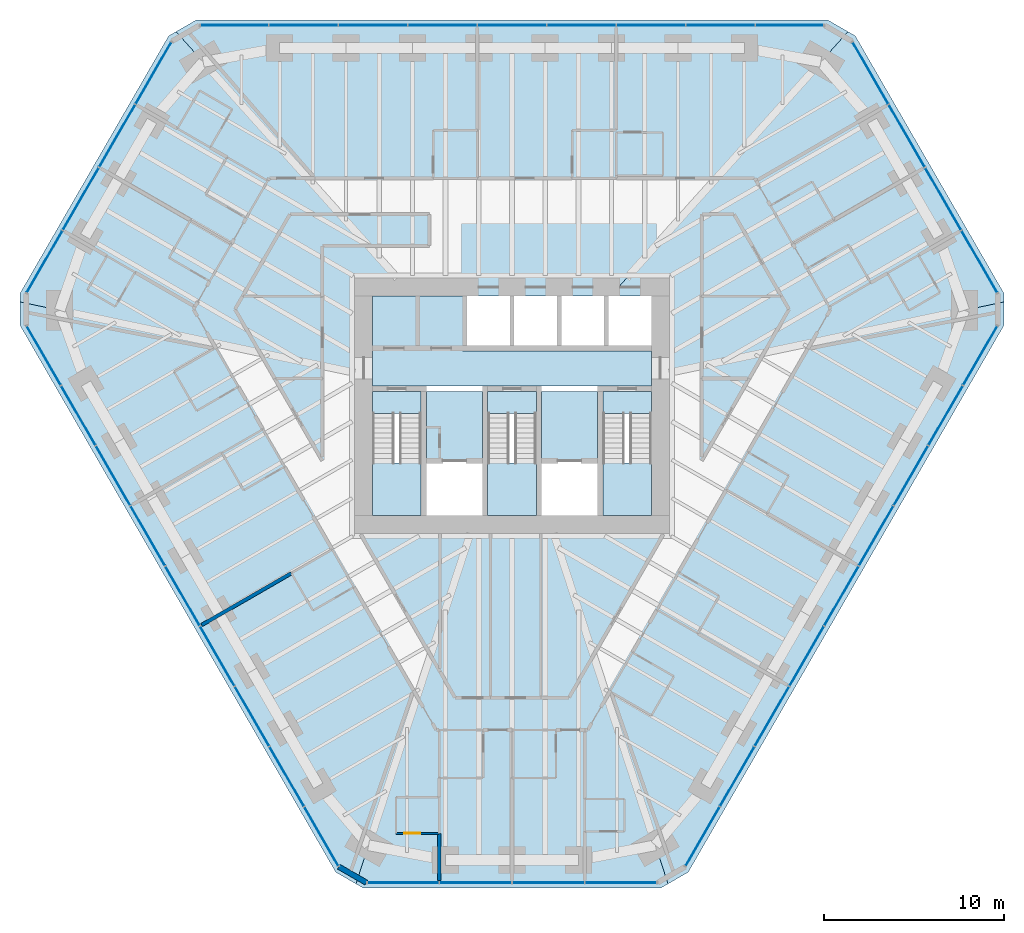
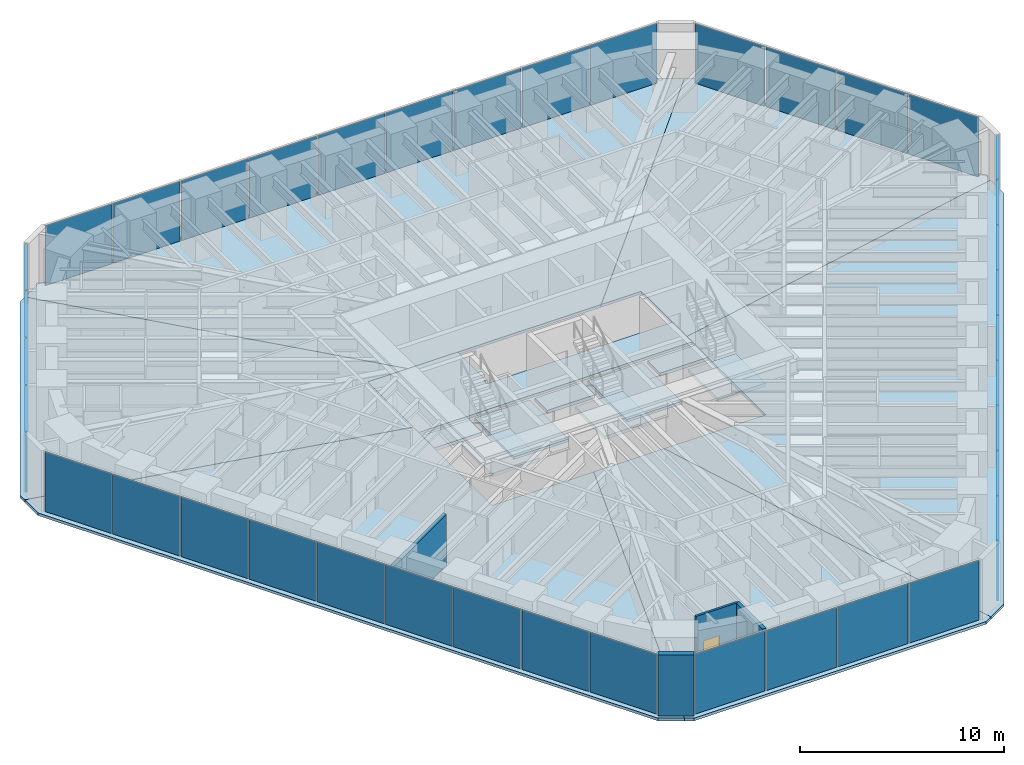
# One storey, part 10 of 17: 39 plates, 15 slabs, 4 walls, 1 door, 1 opening, 9 elements without a shape of their own.
"""IFC4 building model written with IfcOpenShell, lengths in metres."""

import ifcopenshell
import ifcopenshell.guid

model = None  # the IFC model being written
_history = None  # IfcOwnerHistory: only IFC2X3 demands one
_inside = {}  # id of a spatial element -> (the spatial element, [elements in it])
_under = {}  # id of a project, library or spatial element -> (it, [spatial elements below it])
_declared = {}  # id of a project -> (the project, [libraries it declares])
_typed = {}  # id of a type object -> (the type object, [elements of that type])
_made_of = {}  # id of a material, layer set ... -> (it, [elements and type objects made of it])


def new_model(schema):
    """Start an empty IFC model of exactly this schema.

    Asked for "IFC4X3", IfcOpenShell would pick the latest addendum, in which some entities
    have other attributes; the version numbers below select the first issue.
    IFC2X3 requires an IfcOwnerHistory on every rooted entity: one is made here for all.
    """
    global model, _history
    if schema == "IFC4X3":
        model = ifcopenshell.file(schema_version=(4, 3, 0, 0))
    else:
        model = ifcopenshell.file(schema=schema)
    _inside.clear()
    _under.clear()
    _declared.clear()
    _typed.clear()
    _made_of.clear()
    _history = None
    if model.schema == "IFC2X3":
        org = make("IfcOrganization", Name="unknown")
        user = make(
            "IfcPersonAndOrganization",
            ThePerson=make("IfcPerson", FamilyName="unknown"),
            TheOrganization=org,
        )
        app = make(
            "IfcApplication",
            ApplicationDeveloper=org,
            Version="unknown",
            ApplicationFullName="unknown",
            ApplicationIdentifier="unknown",
        )
        _history = make(
            "IfcOwnerHistory",
            OwningUser=user,
            OwningApplication=app,
            ChangeAction="ADDED",
            CreationDate=0,
        )
    return model


def make(cls, **values):
    """One entity of the class cls with the attributes given. An attribute that is None is left unset."""
    return model.create_entity(
        cls, **{name: value for name, value in values.items() if value is not None}
    )


def rooted(cls, **values):
    """An entity with a GlobalId (a new one), such as an element, a storey or a relation."""
    return make(cls, GlobalId=ifcopenshell.guid.new(), OwnerHistory=_history, **values)


def si_unit(unit_type, name, prefix=None):
    """IfcSIUnit, for example si_unit("LENGTHUNIT", "METRE", prefix="MILLI")."""
    return make("IfcSIUnit", UnitType=unit_type, Prefix=prefix, Name=name)


def assignment(units):
    """IfcUnitAssignment: the units of a project."""
    return None if units is None else make("IfcUnitAssignment", Units=units)


def point(xyz):
    """IfcCartesianPoint."""
    return None if xyz is None else make("IfcCartesianPoint", Coordinates=xyz)


def direction(xyz):
    """IfcDirection."""
    return None if xyz is None else make("IfcDirection", DirectionRatios=xyz)


def frame(location, z_axis=None, x_axis=None):
    """IfcAxis2Placement3D, a coordinate frame: its origin and axes. An axis left out is left unset."""
    return make(
        "IfcAxis2Placement3D",
        Location=point(location),
        Axis=direction(z_axis),
        RefDirection=direction(x_axis),
    )


def frame_2d(location, x_axis=None):
    """IfcAxis2Placement2D, a coordinate frame in the plane: its origin and x axis."""
    return make(
        "IfcAxis2Placement2D", Location=point(location), RefDirection=direction(x_axis)
    )


def origin():
    """The frame at (0, 0, 0) with its axes left unset."""
    return frame((0.0, 0.0, 0.0))


def origin_2d():
    """The frame at (0, 0) in the plane with its x axis left unset."""
    return frame_2d((0.0, 0.0))


def place(relative_to, where):
    """IfcLocalPlacement: puts the frame where relative to a parent placement (None: the world)."""
    return make(
        "IfcLocalPlacement", PlacementRelTo=relative_to, RelativePlacement=where
    )


def context(
    kind, dimensions, precision=None, world=None, true_north=None, identifier=None
):
    """IfcGeometricRepresentationContext, for example the 3D "Model" context."""
    return make(
        "IfcGeometricRepresentationContext",
        ContextIdentifier=identifier,
        ContextType=kind,
        CoordinateSpaceDimension=dimensions,
        Precision=precision,
        WorldCoordinateSystem=world,
        TrueNorth=true_north,
    )


def subcontext(parent, identifier, kind, view, scale=None):
    """IfcGeometricRepresentationSubContext, for example "Body" below "Model"."""
    return make(
        "IfcGeometricRepresentationSubContext",
        ContextIdentifier=identifier,
        ContextType=kind,
        ParentContext=parent,
        TargetScale=scale,
        TargetView=view,
    )


def project(units=None, contexts=None):
    """IfcProject with its units and contexts."""
    return rooted(
        "IfcProject",
        Name="project",
        RepresentationContexts=contexts,
        UnitsInContext=assignment(units),
    )


def spatial(cls, under=None, at=None, **own):
    """A site, building, storey or space (cls), placed at a placement, below another one or the project."""
    s = rooted(cls, ObjectPlacement=at, **own)
    if under is not None:
        _under.setdefault(under.id(), (under, []))[1].append(s)
    return s


def polyline(points):
    """IfcPolyline through the points."""
    return make("IfcPolyline", Points=[point(p) for p in points])


def profile(cls, at=None, kind="AREA", **sizes):
    """A parametric profile (cls). Its sizes go by their IFC names, for example OverallWidth=200.0."""
    return make(cls, ProfileType=kind, Position=at, **sizes)


def rectangle(**sizes):
    """IfcRectangleProfileDef."""
    return profile("IfcRectangleProfileDef", **sizes)


def outline(outer, holes=None, kind="AREA"):
    """IfcArbitraryClosedProfileDef: a profile drawn as a closed curve; with holes, ...WithVoids."""
    if holes is None:
        return make("IfcArbitraryClosedProfileDef", ProfileType=kind, OuterCurve=outer)
    return make(
        "IfcArbitraryProfileDefWithVoids",
        ProfileType=kind,
        OuterCurve=outer,
        InnerCurves=holes,
    )


def extrude(swept, where, along, depth):
    """IfcExtrudedAreaSolid: the profile swept, set in the frame where, extruded along a direction by depth."""
    return make(
        "IfcExtrudedAreaSolid",
        SweptArea=swept,
        Position=where,
        ExtrudedDirection=direction(along),
        Depth=depth,
    )


def shape(context_of_items, identifier, shape_type, items):
    """IfcShapeRepresentation: the items that make up one representation, for example the "Body"."""
    return make(
        "IfcShapeRepresentation",
        ContextOfItems=context_of_items,
        RepresentationIdentifier=identifier,
        RepresentationType=shape_type,
        Items=items,
    )


def material(Name=None, Category=None):
    """IfcMaterial."""
    return make("IfcMaterial", Name=Name, Category=Category)


def layer(
    of_material, thickness, ventilated=None, Name=None, Category=None, Priority=None
):
    """IfcMaterialLayer: one layer of a wall or slab, of a material (None: an air gap)."""
    return make(
        "IfcMaterialLayer",
        Material=of_material,
        LayerThickness=thickness,
        IsVentilated=ventilated,
        Name=Name,
        Category=Category,
        Priority=Priority,
    )


def layer_set(layers, Name=None):
    """IfcMaterialLayerSet."""
    return make("IfcMaterialLayerSet", MaterialLayers=layers, LayerSetName=Name)


def made_of(thing, what):
    """Note that an element or type object is made of a material, layer set ...; save() writes the relation."""
    if what is not None:
        _made_of.setdefault(what.id(), (what, []))[1].append(thing)
    return thing


def type_object(cls, material=None, **own):
    """A type object (cls), such as IfcWallType, which elements share."""
    return made_of(rooted(cls, **own), material)


def element(
    cls,
    number,
    at=None,
    inside=None,
    cuts=None,
    type_object=None,
    material=None,
    context=None,
    identifier="Body",
    shape_type=None,
    held_by="IfcProductDefinitionShape",
    body=None,
    shapes=None,
    **own,
):
    """One element of the class cls, such as IfcWall. Its Tag is "e" and its number.

    at: its placement. inside: the storey or other place that contains it. cuts: it is an
    opening in that element (IfcRelVoidsElement). A single representation is given by context,
    identifier, shape_type and body (its items); several are given by shapes. held_by: the class
    of the entity that holds the representations. save() writes the other relations.
    """
    e = rooted(cls, Tag="e%d" % number, ObjectPlacement=at, **own)
    if body is not None:
        shapes = [shape(context, identifier, shape_type, body)]
    if shapes is not None:
        e.Representation = make(held_by, Representations=shapes)
    if inside is not None:
        _inside.setdefault(inside.id(), (inside, []))[1].append(e)
    if cuts is not None:
        rooted(
            "IfcRelVoidsElement", RelatingBuildingElement=cuts, RelatedOpeningElement=e
        )
    if type_object is not None:
        _typed.setdefault(type_object.id(), (type_object, []))[1].append(e)
    return made_of(e, material)


def fill(opening, filler):
    """IfcRelFillsElement: the door or window that sits in an opening."""
    return rooted(
        "IfcRelFillsElement",
        RelatingOpeningElement=opening,
        RelatedBuildingElement=filler,
    )


def aggregate(whole, parts):
    """IfcRelAggregates: a whole, such as a stair, and the parts it consists of."""
    return rooted("IfcRelAggregates", RelatingObject=whole, RelatedObjects=parts)


def save(model, path):
    """Write the relations noted so far, then the file.

    IfcRelAggregates (storeys below a building ...), IfcRelContainedInSpatialStructure (elements
    in a storey), IfcRelDefinesByType, IfcRelAssociatesMaterial and IfcRelDeclares: one each for
    every whole, place, type object, material and project.
    """
    for whole, parts in _under.values():
        aggregate(whole, parts)
    for where, things in _inside.values():
        rooted(
            "IfcRelContainedInSpatialStructure",
            RelatedElements=things,
            RelatingStructure=where,
        )
    for kind, things in _typed.values():
        rooted("IfcRelDefinesByType", RelatedObjects=things, RelatingType=kind)
    for what, things in _made_of.values():
        rooted("IfcRelAssociatesMaterial", RelatedObjects=things, RelatingMaterial=what)
    for by, libraries in _declared.values():
        rooted("IfcRelDeclares", RelatingContext=by, RelatedDefinitions=libraries)
    model.write(path)


model = new_model("IFC4")

# Units and contexts
model_context = context("Model", 3, precision=1e-05, world=origin(), true_north=direction((0.0, 1.0)))
body_context = subcontext(model_context, "Body", "Model", "MODEL_VIEW")
ifc_project = project(units=[si_unit("LENGTHUNIT", "METRE"), si_unit("AREAUNIT", "SQUARE_METRE"), si_unit("VOLUMEUNIT", "CUBIC_METRE"), si_unit("PLANEANGLEUNIT", "RADIAN"), si_unit("MASSUNIT", "GRAM", prefix="KILO")], contexts=[model_context])

# Site, building, storey
site_placement = place(None, origin())
site = spatial("IfcSite", under=ifc_project, at=site_placement, CompositionType="ELEMENT")
building_placement = place(site_placement, origin())
building = spatial("IfcBuilding", under=site, at=building_placement, Name="Sandreach Pilgrim Tower", CompositionType="ELEMENT")
storey_placement = place(building_placement, frame((0.0, 0.0, 198.39990234375)))
storey = spatial("IfcBuildingStorey", under=building, at=storey_placement, Name="L49", CompositionType="ELEMENT", Elevation=198.39990234375)

# Curtain wall, plates
ifc_material_1 = material(Name="Aluminium framed curtain wall", Category="aluminium")
curtain_wall_type = type_object("IfcCurtainWallType", Name="Upper hotel tower curtain wall", PredefinedType="NOTDEFINED", material=ifc_material_1)
curtain_wall_1_placement = place(storey_placement, origin())
curtain_wall_1 = element("IfcCurtainWall", 1, at=curtain_wall_1_placement, inside=storey, type_object=curtain_wall_type, Name="CW-3 L49 N", PredefinedType="NOTDEFINED")
ifc_material_2 = material(Name="Insulating glass unit 12.76 laminated + 20 argon + 12.76 laminated", Category="glass")
ifc_layer_1 = layer(ifc_material_2, 0.0458984375)
ifc_layer_set_1 = layer_set([ifc_layer_1], Name="CW-3 panel")
plate_type = type_object("IfcPlateType", Name="CW-3 panel", PredefinedType="CURTAIN_PANEL", material=ifc_layer_set_1)
plate_1_placement = place(storey_placement, frame((-15.44140625, 21.16015625, 0.0), z_axis=(0.0, 0.0, 1.0), x_axis=(1.0, 0.0, 0.0)))
plate_1 = element("IfcPlate", 2, at=plate_1_placement, type_object=plate_type, Name="CW-3 panel 1", PredefinedType="CURTAIN_PANEL", context=body_context, shape_type="SweptSolid", body=[
    extrude(rectangle(XDim=3.766845703125, YDim=0.0458984375, at=origin_2d()), origin(), (0.0, 0.0, 1.0), 3.570068359375),
])
plate_2_placement = place(storey_placement, frame((-11.59326171875, 21.16015625, 0.0), z_axis=(0.0, 0.0, 1.0), x_axis=(1.0, 0.0, 0.0)))
plate_2 = element("IfcPlate", 3, at=plate_2_placement, type_object=plate_type, Name="CW-3 panel 2", PredefinedType="CURTAIN_PANEL", context=body_context, shape_type="SweptSolid", body=[
    extrude(rectangle(XDim=3.79931640625, YDim=0.0458984375, at=origin_2d()), origin(), (0.0, 0.0, 1.0), 3.570068359375),
])
plate_3_placement = place(storey_placement, frame((-7.728759765625, 21.16015625, 0.0), z_axis=(0.0, 0.0, 1.0), x_axis=(1.0, 0.0, 0.0)))
plate_3 = element("IfcPlate", 4, at=plate_3_placement, type_object=plate_type, Name="CW-3 panel 3", PredefinedType="CURTAIN_PANEL", context=body_context, shape_type="SweptSolid", body=[
    extrude(rectangle(XDim=3.79931640625, YDim=0.0458984375, at=origin_2d()), origin(), (0.0, 0.0, 1.0), 3.570068359375),
])
plate_4_placement = place(storey_placement, frame((-3.864501953125, 21.16015625, 0.0), z_axis=(0.0, 0.0, 1.0), x_axis=(1.0, 0.0, 0.0)))
plate_4 = element("IfcPlate", 5, at=plate_4_placement, type_object=plate_type, Name="CW-3 panel 4", PredefinedType="CURTAIN_PANEL", context=body_context, shape_type="SweptSolid", body=[
    extrude(rectangle(XDim=3.79931640625, YDim=0.0458984375, at=origin_2d()), origin(), (0.0, 0.0, 1.0), 3.570068359375),
])
plate_5_placement = place(storey_placement, frame((0.0, 21.16015625, 0.0), z_axis=(0.0, 0.0, 1.0), x_axis=(1.0, 0.0, 0.0)))
plate_5 = element("IfcPlate", 6, at=plate_5_placement, type_object=plate_type, Name="CW-3 panel 5", PredefinedType="CURTAIN_PANEL", context=body_context, shape_type="SweptSolid", body=[
    extrude(rectangle(XDim=3.79931640625, YDim=0.0458984375, at=origin_2d()), origin(), (0.0, 0.0, 1.0), 3.570068359375),
])
plate_6_placement = place(storey_placement, frame((3.864501953125, 21.16015625, 0.0), z_axis=(0.0, 0.0, 1.0), x_axis=(1.0, 0.0, 0.0)))
plate_6 = element("IfcPlate", 7, at=plate_6_placement, type_object=plate_type, Name="CW-3 panel 6", PredefinedType="CURTAIN_PANEL", context=body_context, shape_type="SweptSolid", body=[
    extrude(rectangle(XDim=3.79931640625, YDim=0.0458984375, at=origin_2d()), origin(), (0.0, 0.0, 1.0), 3.570068359375),
])
plate_7_placement = place(storey_placement, frame((7.728759765625, 21.16015625, 0.0), z_axis=(0.0, 0.0, 1.0), x_axis=(1.0, 0.0, 0.0)))
plate_7 = element("IfcPlate", 8, at=plate_7_placement, type_object=plate_type, Name="CW-3 panel 7", PredefinedType="CURTAIN_PANEL", context=body_context, shape_type="SweptSolid", body=[
    extrude(rectangle(XDim=3.79931640625, YDim=0.0458984375, at=origin_2d()), origin(), (0.0, 0.0, 1.0), 3.570068359375),
])
plate_8_placement = place(storey_placement, frame((11.59326171875, 21.16015625, 0.0), z_axis=(0.0, 0.0, 1.0), x_axis=(1.0, 0.0, 0.0)))
plate_8 = element("IfcPlate", 9, at=plate_8_placement, type_object=plate_type, Name="CW-3 panel 8", PredefinedType="CURTAIN_PANEL", context=body_context, shape_type="SweptSolid", body=[
    extrude(rectangle(XDim=3.79931640625, YDim=0.0458984375, at=origin_2d()), origin(), (0.0, 0.0, 1.0), 3.570068359375),
])
plate_9_placement = place(storey_placement, frame((15.44140625, 21.16015625, 0.0), z_axis=(0.0, 0.0, 1.0), x_axis=(1.0, 0.0, 0.0)))
plate_9 = element("IfcPlate", 10, at=plate_9_placement, type_object=plate_type, Name="CW-3 panel 9", PredefinedType="CURTAIN_PANEL", context=body_context, shape_type="SweptSolid", body=[
    extrude(rectangle(XDim=3.766845703125, YDim=0.0458984375, at=origin_2d()), origin(), (0.0, 0.0, 1.0), 3.570068359375),
])
aggregate(curtain_wall_1, [plate_1, plate_2, plate_3, plate_4, plate_5, plate_6, plate_7, plate_8, plate_9])

curtain_wall_2_placement = place(storey_placement, origin())
curtain_wall_2 = element("IfcCurtainWall", 11, at=curtain_wall_2_placement, inside=storey, type_object=curtain_wall_type, Name="CW-3 L49 NE", PredefinedType="NOTDEFINED")
plate_10_placement = place(storey_placement, frame((19.943115234375, 18.5078125, 0.0), z_axis=(0.0, 0.0, 1.0), x_axis=(0.5, -0.866025403784, 0.0)))
plate_10 = element("IfcPlate", 12, at=plate_10_placement, type_object=plate_type, Name="CW-3 panel 1", PredefinedType="CURTAIN_PANEL", context=body_context, shape_type="SweptSolid", body=[
    extrude(rectangle(XDim=3.951171875, YDim=0.0458984375, at=origin_2d()), origin(), (0.0, 0.0, 1.0), 3.570068359375),
])
plate_11_placement = place(storey_placement, frame((21.959228515625, 15.015625, 0.0), z_axis=(0.0, 0.0, 1.0), x_axis=(0.5, -0.866025403784, 0.0)))
plate_11 = element("IfcPlate", 13, at=plate_11_placement, type_object=plate_type, Name="CW-3 panel 2", PredefinedType="CURTAIN_PANEL", context=body_context, shape_type="SweptSolid", body=[
    extrude(rectangle(XDim=3.983642578125, YDim=0.0458984375, at=origin_2d()), origin(), (0.0, 0.0, 1.0), 3.570068359375),
])
plate_12_placement = place(storey_placement, frame((23.983642578125, 11.509521484375, 0.0), z_axis=(0.0, 0.0, 1.0), x_axis=(0.5, -0.866025403784, 0.0)))
plate_12 = element("IfcPlate", 14, at=plate_12_placement, type_object=plate_type, Name="CW-3 panel 3", PredefinedType="CURTAIN_PANEL", context=body_context, shape_type="SweptSolid", body=[
    extrude(rectangle(XDim=3.983642578125, YDim=0.0458984375, at=origin_2d()), origin(), (0.0, 0.0, 1.0), 3.570068359375),
])
plate_13_placement = place(storey_placement, frame((25.999755859375, 8.017333984375, 0.0), z_axis=(0.0, 0.0, 1.0), x_axis=(0.5, -0.866025403784, 0.0)))
plate_13 = element("IfcPlate", 15, at=plate_13_placement, type_object=plate_type, Name="CW-3 panel 4", PredefinedType="CURTAIN_PANEL", context=body_context, shape_type="SweptSolid", body=[
    extrude(rectangle(XDim=3.951171875, YDim=0.0458984375, at=origin_2d()), origin(), (0.0, 0.0, 1.0), 3.570068359375),
])
aggregate(curtain_wall_2, [plate_10, plate_11, plate_12, plate_13])

curtain_wall_3_placement = place(storey_placement, origin())
curtain_wall_3 = element("IfcCurtainWall", 16, at=curtain_wall_3_placement, inside=storey, type_object=curtain_wall_type, Name="CW-3 L49 SE", PredefinedType="NOTDEFINED")
plate_14_placement = place(storey_placement, frame((26.0458984375, 2.792724609375, 0.0), z_axis=(0.0, 0.0, 1.0), x_axis=(-0.5, -0.866025403784, 0.0)))
plate_14 = element("IfcPlate", 17, at=plate_14_placement, type_object=plate_type, Name="CW-3 panel 1", PredefinedType="CURTAIN_PANEL", context=body_context, shape_type="SweptSolid", body=[
    extrude(rectangle(XDim=3.766845703125, YDim=0.0458984375, at=origin_2d()), origin(), (0.0, 0.0, 1.0), 3.570068359375),
])
plate_15_placement = place(storey_placement, frame((24.121826171875, -0.5400390625, 0.0), z_axis=(0.0, 0.0, 1.0), x_axis=(-0.5, -0.866025403784, 0.0)))
plate_15 = element("IfcPlate", 18, at=plate_15_placement, type_object=plate_type, Name="CW-3 panel 2", PredefinedType="CURTAIN_PANEL", context=body_context, shape_type="SweptSolid", body=[
    extrude(rectangle(XDim=3.79931640625, YDim=0.0458984375, at=origin_2d()), origin(), (0.0, 0.0, 1.0), 3.570068359375),
])
plate_16_placement = place(storey_placement, frame((22.189697265625, -3.88671875, 0.0), z_axis=(0.0, 0.0, 1.0), x_axis=(-0.5, -0.866025403784, 0.0)))
plate_16 = element("IfcPlate", 19, at=plate_16_placement, type_object=plate_type, Name="CW-3 panel 3", PredefinedType="CURTAIN_PANEL", context=body_context, shape_type="SweptSolid", body=[
    extrude(rectangle(XDim=3.79931640625, YDim=0.0458984375, at=origin_2d()), origin(), (0.0, 0.0, 1.0), 3.570068359375),
])
plate_17_placement = place(storey_placement, frame((20.25732421875, -7.2333984375, 0.0), z_axis=(0.0, 0.0, 1.0), x_axis=(-0.5, -0.866025403784, 0.0)))
plate_17 = element("IfcPlate", 20, at=plate_17_placement, type_object=plate_type, Name="CW-3 panel 4", PredefinedType="CURTAIN_PANEL", context=body_context, shape_type="SweptSolid", body=[
    extrude(rectangle(XDim=3.79931640625, YDim=0.0458984375, at=origin_2d()), origin(), (0.0, 0.0, 1.0), 3.570068359375),
])
plate_18_placement = place(storey_placement, frame((18.3251953125, -10.580078125, 0.0), z_axis=(0.0, 0.0, 1.0), x_axis=(-0.5, -0.866025403784, 0.0)))
plate_18 = element("IfcPlate", 21, at=plate_18_placement, type_object=plate_type, Name="CW-3 panel 5", PredefinedType="CURTAIN_PANEL", context=body_context, shape_type="SweptSolid", body=[
    extrude(rectangle(XDim=3.79931640625, YDim=0.0458984375, at=origin_2d()), origin(), (0.0, 0.0, 1.0), 3.570068359375),
])
plate_19_placement = place(storey_placement, frame((16.39306640625, -13.9267578125, 0.0), z_axis=(0.0, 0.0, 1.0), x_axis=(-0.5, -0.866025403784, 0.0)))
plate_19 = element("IfcPlate", 22, at=plate_19_placement, type_object=plate_type, Name="CW-3 panel 6", PredefinedType="CURTAIN_PANEL", context=body_context, shape_type="SweptSolid", body=[
    extrude(rectangle(XDim=3.79931640625, YDim=0.0458984375, at=origin_2d()), origin(), (0.0, 0.0, 1.0), 3.570068359375),
])
plate_20_placement = place(storey_placement, frame((14.460693359375, -17.2734375, 0.0), z_axis=(0.0, 0.0, 1.0), x_axis=(-0.5, -0.866025403784, 0.0)))
plate_20 = element("IfcPlate", 23, at=plate_20_placement, type_object=plate_type, Name="CW-3 panel 7", PredefinedType="CURTAIN_PANEL", context=body_context, shape_type="SweptSolid", body=[
    extrude(rectangle(XDim=3.79931640625, YDim=0.0458984375, at=origin_2d()), origin(), (0.0, 0.0, 1.0), 3.570068359375),
])
plate_21_placement = place(storey_placement, frame((12.528564453125, -20.6201171875, 0.0), z_axis=(0.0, 0.0, 1.0), x_axis=(-0.5, -0.866025403784, 0.0)))
plate_21 = element("IfcPlate", 24, at=plate_21_placement, type_object=plate_type, Name="CW-3 panel 8", PredefinedType="CURTAIN_PANEL", context=body_context, shape_type="SweptSolid", body=[
    extrude(rectangle(XDim=3.79931640625, YDim=0.0458984375, at=origin_2d()), origin(), (0.0, 0.0, 1.0), 3.570068359375),
])
plate_22_placement = place(storey_placement, frame((10.6044921875, -23.95263671875, 0.0), z_axis=(0.0, 0.0, 1.0), x_axis=(-0.5, -0.866025403784, 0.0)))
plate_22 = element("IfcPlate", 25, at=plate_22_placement, type_object=plate_type, Name="CW-3 panel 9", PredefinedType="CURTAIN_PANEL", context=body_context, shape_type="SweptSolid", body=[
    extrude(rectangle(XDim=3.766845703125, YDim=0.0458984375, at=origin_2d()), origin(), (0.0, 0.0, 1.0), 3.570068359375),
])
aggregate(curtain_wall_3, [plate_14, plate_15, plate_16, plate_17, plate_18, plate_19, plate_20, plate_21, plate_22])

curtain_wall_4_placement = place(storey_placement, origin())
curtain_wall_4 = element("IfcCurtainWall", 26, at=curtain_wall_4_placement, inside=storey, type_object=curtain_wall_type, Name="CW-3 L49 S", PredefinedType="NOTDEFINED")
plate_23_placement = place(storey_placement, frame((6.056884765625, -26.525146484375, 0.0), z_axis=(0.0, 0.0, 1.0), x_axis=(-1.0, 0.0, 0.0)))
plate_23 = element("IfcPlate", 27, at=plate_23_placement, type_object=plate_type, Name="CW-3 panel 1", PredefinedType="CURTAIN_PANEL", context=body_context, shape_type="SweptSolid", body=[
    extrude(rectangle(XDim=3.951171875, YDim=0.0458984375, at=origin_2d()), origin(), (0.0, 0.0, 1.0), 3.570068359375),
])
plate_24_placement = place(storey_placement, frame((2.0244140625, -26.525146484375, 0.0), z_axis=(0.0, 0.0, 1.0), x_axis=(-1.0, 0.0, 0.0)))
plate_24 = element("IfcPlate", 28, at=plate_24_placement, type_object=plate_type, Name="CW-3 panel 2", PredefinedType="CURTAIN_PANEL", context=body_context, shape_type="SweptSolid", body=[
    extrude(rectangle(XDim=3.983642578125, YDim=0.0458984375, at=origin_2d()), origin(), (0.0, 0.0, 1.0), 3.570068359375),
])
plate_25_placement = place(storey_placement, frame((-2.0244140625, -26.525146484375, 0.0), z_axis=(0.0, 0.0, 1.0), x_axis=(-1.0, 0.0, 0.0)))
plate_25 = element("IfcPlate", 29, at=plate_25_placement, type_object=plate_type, Name="CW-3 panel 3", PredefinedType="CURTAIN_PANEL", context=body_context, shape_type="SweptSolid", body=[
    extrude(rectangle(XDim=3.983642578125, YDim=0.0458984375, at=origin_2d()), origin(), (0.0, 0.0, 1.0), 3.570068359375),
])
plate_26_placement = place(storey_placement, frame((-6.056884765625, -26.525146484375, 0.0), z_axis=(0.0, 0.0, 1.0), x_axis=(-1.0, 0.0, 0.0)))
plate_26 = element("IfcPlate", 30, at=plate_26_placement, type_object=plate_type, Name="CW-3 panel 4", PredefinedType="CURTAIN_PANEL", context=body_context, shape_type="SweptSolid", body=[
    extrude(rectangle(XDim=3.951171875, YDim=0.0458984375, at=origin_2d()), origin(), (0.0, 0.0, 1.0), 3.570068359375),
])
aggregate(curtain_wall_4, [plate_23, plate_24, plate_25, plate_26])

curtain_wall_5_placement = place(storey_placement, origin())
curtain_wall_5 = element("IfcCurtainWall", 31, at=curtain_wall_5_placement, inside=storey, type_object=curtain_wall_type, Name="CW-3 L49 SW", PredefinedType="NOTDEFINED")
plate_27_placement = place(storey_placement, frame((-10.6044921875, -23.95263671875, 0.0), z_axis=(0.0, 0.0, 1.0), x_axis=(-0.5, 0.866025403784, 0.0)))
plate_27 = element("IfcPlate", 32, at=plate_27_placement, type_object=plate_type, Name="CW-3 panel 1", PredefinedType="CURTAIN_PANEL", context=body_context, shape_type="SweptSolid", body=[
    extrude(rectangle(XDim=3.766845703125, YDim=0.0458984375, at=origin_2d()), origin(), (0.0, 0.0, 1.0), 3.570068359375),
])
plate_28_placement = place(storey_placement, frame((-12.528564453125, -20.6201171875, 0.0), z_axis=(0.0, 0.0, 1.0), x_axis=(-0.5, 0.866025403784, 0.0)))
plate_28 = element("IfcPlate", 33, at=plate_28_placement, type_object=plate_type, Name="CW-3 panel 2", PredefinedType="CURTAIN_PANEL", context=body_context, shape_type="SweptSolid", body=[
    extrude(rectangle(XDim=3.79931640625, YDim=0.0458984375, at=origin_2d()), origin(), (0.0, 0.0, 1.0), 3.570068359375),
])
plate_29_placement = place(storey_placement, frame((-14.460693359375, -17.2734375, 0.0), z_axis=(0.0, 0.0, 1.0), x_axis=(-0.5, 0.866025403784, 0.0)))
plate_29 = element("IfcPlate", 34, at=plate_29_placement, type_object=plate_type, Name="CW-3 panel 3", PredefinedType="CURTAIN_PANEL", context=body_context, shape_type="SweptSolid", body=[
    extrude(rectangle(XDim=3.79931640625, YDim=0.0458984375, at=origin_2d()), origin(), (0.0, 0.0, 1.0), 3.570068359375),
])
plate_30_placement = place(storey_placement, frame((-16.39306640625, -13.9267578125, 0.0), z_axis=(0.0, 0.0, 1.0), x_axis=(-0.5, 0.866025403784, 0.0)))
plate_30 = element("IfcPlate", 35, at=plate_30_placement, type_object=plate_type, Name="CW-3 panel 4", PredefinedType="CURTAIN_PANEL", context=body_context, shape_type="SweptSolid", body=[
    extrude(rectangle(XDim=3.79931640625, YDim=0.0458984375, at=origin_2d()), origin(), (0.0, 0.0, 1.0), 3.570068359375),
])
plate_31_placement = place(storey_placement, frame((-18.3251953125, -10.580078125, 0.0), z_axis=(0.0, 0.0, 1.0), x_axis=(-0.5, 0.866025403784, 0.0)))
plate_31 = element("IfcPlate", 36, at=plate_31_placement, type_object=plate_type, Name="CW-3 panel 5", PredefinedType="CURTAIN_PANEL", context=body_context, shape_type="SweptSolid", body=[
    extrude(rectangle(XDim=3.79931640625, YDim=0.0458984375, at=origin_2d()), origin(), (0.0, 0.0, 1.0), 3.570068359375),
])
plate_32_placement = place(storey_placement, frame((-20.25732421875, -7.2333984375, 0.0), z_axis=(0.0, 0.0, 1.0), x_axis=(-0.5, 0.866025403784, 0.0)))
plate_32 = element("IfcPlate", 37, at=plate_32_placement, type_object=plate_type, Name="CW-3 panel 6", PredefinedType="CURTAIN_PANEL", context=body_context, shape_type="SweptSolid", body=[
    extrude(rectangle(XDim=3.79931640625, YDim=0.0458984375, at=origin_2d()), origin(), (0.0, 0.0, 1.0), 3.570068359375),
])
plate_33_placement = place(storey_placement, frame((-22.189697265625, -3.88671875, 0.0), z_axis=(0.0, 0.0, 1.0), x_axis=(-0.5, 0.866025403784, 0.0)))
plate_33 = element("IfcPlate", 38, at=plate_33_placement, type_object=plate_type, Name="CW-3 panel 7", PredefinedType="CURTAIN_PANEL", context=body_context, shape_type="SweptSolid", body=[
    extrude(rectangle(XDim=3.79931640625, YDim=0.0458984375, at=origin_2d()), origin(), (0.0, 0.0, 1.0), 3.570068359375),
])
plate_34_placement = place(storey_placement, frame((-24.121826171875, -0.5400390625, 0.0), z_axis=(0.0, 0.0, 1.0), x_axis=(-0.5, 0.866025403784, 0.0)))
plate_34 = element("IfcPlate", 39, at=plate_34_placement, type_object=plate_type, Name="CW-3 panel 8", PredefinedType="CURTAIN_PANEL", context=body_context, shape_type="SweptSolid", body=[
    extrude(rectangle(XDim=3.79931640625, YDim=0.0458984375, at=origin_2d()), origin(), (0.0, 0.0, 1.0), 3.570068359375),
])
plate_35_placement = place(storey_placement, frame((-26.0458984375, 2.792724609375, 0.0), z_axis=(0.0, 0.0, 1.0), x_axis=(-0.5, 0.866025403784, 0.0)))
plate_35 = element("IfcPlate", 40, at=plate_35_placement, type_object=plate_type, Name="CW-3 panel 9", PredefinedType="CURTAIN_PANEL", context=body_context, shape_type="SweptSolid", body=[
    extrude(rectangle(XDim=3.766845703125, YDim=0.0458984375, at=origin_2d()), origin(), (0.0, 0.0, 1.0), 3.570068359375),
])
aggregate(curtain_wall_5, [plate_27, plate_28, plate_29, plate_30, plate_31, plate_32, plate_33, plate_34, plate_35])

curtain_wall_6_placement = place(storey_placement, origin())
curtain_wall_6 = element("IfcCurtainWall", 41, at=curtain_wall_6_placement, inside=storey, type_object=curtain_wall_type, Name="CW-3 L49 NW", PredefinedType="NOTDEFINED")
plate_36_placement = place(storey_placement, frame((-25.999755859375, 8.017333984375, 0.0), z_axis=(0.0, 0.0, 1.0), x_axis=(0.5, 0.866025403784, 0.0)))
plate_36 = element("IfcPlate", 42, at=plate_36_placement, type_object=plate_type, Name="CW-3 panel 1", PredefinedType="CURTAIN_PANEL", context=body_context, shape_type="SweptSolid", body=[
    extrude(rectangle(XDim=3.951171875, YDim=0.0458984375, at=origin_2d()), origin(), (0.0, 0.0, 1.0), 3.570068359375),
])
plate_37_placement = place(storey_placement, frame((-23.983642578125, 11.509521484375, 0.0), z_axis=(0.0, 0.0, 1.0), x_axis=(0.5, 0.866025403784, 0.0)))
plate_37 = element("IfcPlate", 43, at=plate_37_placement, type_object=plate_type, Name="CW-3 panel 2", PredefinedType="CURTAIN_PANEL", context=body_context, shape_type="SweptSolid", body=[
    extrude(rectangle(XDim=3.983642578125, YDim=0.0458984375, at=origin_2d()), origin(), (0.0, 0.0, 1.0), 3.570068359375),
])
plate_38_placement = place(storey_placement, frame((-21.959228515625, 15.015625, 0.0), z_axis=(0.0, 0.0, 1.0), x_axis=(0.5, 0.866025403784, 0.0)))
plate_38 = element("IfcPlate", 44, at=plate_38_placement, type_object=plate_type, Name="CW-3 panel 3", PredefinedType="CURTAIN_PANEL", context=body_context, shape_type="SweptSolid", body=[
    extrude(rectangle(XDim=3.983642578125, YDim=0.0458984375, at=origin_2d()), origin(), (0.0, 0.0, 1.0), 3.570068359375),
])
plate_39_placement = place(storey_placement, frame((-19.943115234375, 18.5078125, 0.0), z_axis=(0.0, 0.0, 1.0), x_axis=(0.5, 0.866025403784, 0.0)))
plate_39 = element("IfcPlate", 45, at=plate_39_placement, type_object=plate_type, Name="CW-3 panel 4", PredefinedType="CURTAIN_PANEL", context=body_context, shape_type="SweptSolid", body=[
    extrude(rectangle(XDim=3.951171875, YDim=0.0458984375, at=origin_2d()), origin(), (0.0, 0.0, 1.0), 3.570068359375),
])
aggregate(curtain_wall_6, [plate_36, plate_37, plate_38, plate_39])

# Slabs
ifc_material_3 = material(Name="Concrete 8000 psi", Category="concrete")
ifc_layer_2 = layer(ifc_material_3, 0.159912109375)
ifc_layer_set_2 = layer_set([ifc_layer_2], Name="Composite floor slab 160")
slab_type_1 = type_object("IfcSlabType", Name="Composite floor slab 160", PredefinedType="FLOOR", material=ifc_layer_set_2)
slab_1_placement = place(storey_placement, frame((0.0, 0.0, -0.159912109375)))
element("IfcSlab", 46, at=slab_1_placement, inside=storey, type_object=slab_type_1, Name="Floor slab L49 N sector", PredefinedType="FLOOR", context=body_context, shape_type="SweptSolid", body=[
    extrude(outline(polyline([(-17.56298828125, 21.460205078125), (17.56298828125, 21.460205078125), (18.68701171875, 20.81103515625), (5.477294921875, 6.10009765625), (-5.477294921875, 6.10009765625), (-18.68701171875, 20.81103515625), (-17.56298828125, 21.460205078125)])), origin(), (0.0, 0.0, 1.0), 0.159912109375),
])
slab_2_placement = place(storey_placement, frame((0.0, 0.0, -0.159912109375)))
element("IfcSlab", 47, at=slab_2_placement, inside=storey, type_object=slab_type_1, Name="Floor slab L49 NE sector", PredefinedType="FLOOR", context=body_context, shape_type="SweptSolid", body=[
    extrude(outline(polyline([(19.095947265625, 20.5751953125), (27.366455078125, 6.25), (27.366455078125, 5.778076171875), (7.75, 1.63623046875), (7.75, 6.10009765625), (5.477294921875, 6.10009765625), (18.68701171875, 20.81103515625), (19.095947265625, 20.5751953125)])), origin(), (0.0, 0.0, 1.0), 0.159912109375),
])
slab_3_placement = place(storey_placement, frame((0.0, 0.0, -0.159912109375)))
element("IfcSlab", 48, at=slab_3_placement, inside=storey, type_object=slab_type_1, Name="Floor slab L49 SE sector", PredefinedType="FLOOR", context=body_context, shape_type="SweptSolid", body=[
    extrude(outline(polyline([(27.366455078125, 4.47998046875), (9.803466796875, -25.940185546875), (8.679443359375, -26.589111328125), (1.9912109375, -6.10009765625), (7.75, -6.10009765625), (7.75, 1.63623046875), (27.366455078125, 5.778076171875), (27.366455078125, 4.47998046875)])), origin(), (0.0, 0.0, 1.0), 0.159912109375),
])
slab_4_placement = place(storey_placement, frame((0.0, 0.0, -0.159912109375)))
element("IfcSlab", 49, at=slab_4_placement, inside=storey, type_object=slab_type_1, Name="Floor slab L49 S sector", PredefinedType="FLOOR", context=body_context, shape_type="SweptSolid", body=[
    extrude(outline(polyline([(8.2705078125, -26.8251953125), (-8.2705078125, -26.8251953125), (-8.679443359375, -26.589111328125), (-1.9912109375, -6.10009765625), (1.9912109375, -6.10009765625), (8.679443359375, -26.589111328125), (8.2705078125, -26.8251953125)])), origin(), (0.0, 0.0, 1.0), 0.159912109375),
])
slab_5_placement = place(storey_placement, frame((0.0, 0.0, -0.159912109375)))
element("IfcSlab", 50, at=slab_5_placement, inside=storey, type_object=slab_type_1, Name="Floor slab L49 SW sector", PredefinedType="FLOOR", context=body_context, shape_type="SweptSolid", body=[
    extrude(outline(polyline([(-9.803466796875, -25.940185546875), (-27.366455078125, 4.47998046875), (-27.366455078125, 5.778076171875), (-7.75, 1.63623046875), (-7.75, -6.10009765625), (-1.9912109375, -6.10009765625), (-8.679443359375, -26.589111328125), (-9.803466796875, -25.940185546875)])), origin(), (0.0, 0.0, 1.0), 0.159912109375),
])
slab_6_placement = place(storey_placement, frame((0.0, 0.0, -0.159912109375)))
element("IfcSlab", 51, at=slab_6_placement, inside=storey, type_object=slab_type_1, Name="Floor slab L49 NW sector", PredefinedType="FLOOR", context=body_context, shape_type="SweptSolid", body=[
    extrude(outline(polyline([(-27.366455078125, 6.25), (-19.095947265625, 20.5751953125), (-18.68701171875, 20.81103515625), (-5.477294921875, 6.10009765625), (-7.75, 6.10009765625), (-7.75, 1.63623046875), (-27.366455078125, 5.778076171875), (-27.366455078125, 6.25)])), origin(), (0.0, 0.0, 1.0), 0.159912109375),
])
slab_7_placement = place(storey_placement, frame((0.0, 0.0, -0.159912109375)))
element("IfcSlab", 52, at=slab_7_placement, inside=storey, type_object=slab_type_1, Name="Core floor slab L49", PredefinedType="FLOOR", context=body_context, shape_type="SweptSolid", body=[
    extrude(outline(polyline([(-2.75, 3.35009765625), (-2.75, 3.050048828125), (-0.125, 3.050048828125), (0.125, 3.050048828125), (2.5, 3.050048828125), (2.75, 3.050048828125), (5.125, 3.050048828125), (5.375, 3.050048828125), (7.75, 3.050048828125), (7.75, 1.10009765625), (5.050048828125, 1.10009765625), (4.75, 1.10009765625), (1.64990234375, 1.10009765625), (1.35009765625, 1.10009765625), (-1.35009765625, 1.10009765625), (-1.64990234375, 1.10009765625), (-4.75, 1.10009765625), (-5.050048828125, 1.10009765625), (-7.75, 1.10009765625), (-7.75, 6.10009765625), (-2.64990234375, 6.10009765625), (-2.64990234375, 3.35009765625), (-2.75, 3.35009765625)])), origin(), (0.0, 0.0, 1.0), 0.159912109375),
])
slab_8_placement = place(storey_placement, frame((0.0, 0.0, -0.159912109375)))
element("IfcSlab", 53, at=slab_8_placement, inside=storey, type_object=slab_type_1, Name="Core floor slab L49 2", PredefinedType="FLOOR", context=body_context, shape_type="SweptSolid", body=[
    extrude(outline(polyline([(-1.64990234375, -3.050048828125), (-4.75, -3.050048828125), (-4.75, 0.800048828125), (-1.64990234375, 0.800048828125), (-1.64990234375, -3.050048828125)])), origin(), (0.0, 0.0, 1.0), 0.159912109375),
])
slab_9_placement = place(storey_placement, frame((0.0, 0.0, -0.159912109375)))
element("IfcSlab", 54, at=slab_9_placement, inside=storey, type_object=slab_type_1, Name="Core floor slab L49 3", PredefinedType="FLOOR", context=body_context, shape_type="SweptSolid", body=[
    extrude(outline(polyline([(4.75, -3.050048828125), (1.64990234375, -3.050048828125), (1.64990234375, 0.800048828125), (4.75, 0.800048828125), (4.75, -3.050048828125)])), origin(), (0.0, 0.0, 1.0), 0.159912109375),
])

# Stair, slabs
ifc_material_4 = material(Name="Concrete 8000 psi", Category="concrete")
stair_type = type_object("IfcStairType", Name="Core exit stair", PredefinedType="HALF_TURN_STAIR", material=ifc_material_4)
stair_1_placement = place(storey_placement, origin())
stair_1 = element("IfcStair", 55, at=stair_1_placement, inside=storey, type_object=stair_type, Name="Exit stair ST1 L49", PredefinedType="HALF_TURN_STAIR")
ifc_material_5 = material(Name="Concrete 8000 psi", Category="concrete")
ifc_layer_3 = layer(ifc_material_5, 0.199951171875)
ifc_layer_set_3 = layer_set([ifc_layer_3], Name="Core stair landing 200")
slab_type_2 = type_object("IfcSlabType", Name="Core stair landing 200", PredefinedType="LANDING", material=ifc_layer_set_3)
slab_10_placement = place(storey_placement, frame((0.0, 0.0, -0.199951171875)))
slab_10 = element("IfcSlab", 56, at=slab_10_placement, type_object=slab_type_2, Name="ST1 landing 1", PredefinedType="LANDING", context=body_context, shape_type="SweptSolid", body=[
    extrude(outline(polyline([(-7.75, -0.425048828125), (-5.050048828125, -0.425048828125), (-5.050048828125, 0.800048828125), (-7.75, 0.800048828125), (-7.75, -0.425048828125)])), origin(), (0.0, 0.0, 1.0), 0.199951171875),
])
slab_11_placement = place(storey_placement, frame((0.0, 0.0, 1.7001953125)))
slab_11 = element("IfcSlab", 57, at=slab_11_placement, type_object=slab_type_2, Name="ST1 landing 2", PredefinedType="LANDING", context=body_context, shape_type="SweptSolid", body=[
    extrude(outline(polyline([(-7.75, -6.10009765625), (-5.050048828125, -6.10009765625), (-5.050048828125, -3.175048828125), (-7.75, -3.175048828125), (-7.75, -6.10009765625)])), origin(), (0.0, 0.0, 1.0), 0.199951171875),
])
aggregate(stair_1, [slab_10, slab_11])

stair_2_placement = place(storey_placement, origin())
stair_2 = element("IfcStair", 58, at=stair_2_placement, inside=storey, type_object=stair_type, Name="Exit stair ST3 L49", PredefinedType="HALF_TURN_STAIR")
slab_12_placement = place(storey_placement, frame((0.0, 0.0, -0.199951171875)))
slab_12 = element("IfcSlab", 59, at=slab_12_placement, type_object=slab_type_2, Name="ST3 landing 1", PredefinedType="LANDING", context=body_context, shape_type="SweptSolid", body=[
    extrude(outline(polyline([(-1.35009765625, -0.425048828125), (1.35009765625, -0.425048828125), (1.35009765625, 0.800048828125), (-1.35009765625, 0.800048828125), (-1.35009765625, -0.425048828125)])), origin(), (0.0, 0.0, 1.0), 0.199951171875),
])
slab_13_placement = place(storey_placement, frame((0.0, 0.0, 1.7001953125)))
slab_13 = element("IfcSlab", 60, at=slab_13_placement, type_object=slab_type_2, Name="ST3 landing 2", PredefinedType="LANDING", context=body_context, shape_type="SweptSolid", body=[
    extrude(outline(polyline([(-1.35009765625, -6.10009765625), (1.35009765625, -6.10009765625), (1.35009765625, -3.175048828125), (-1.35009765625, -3.175048828125), (-1.35009765625, -6.10009765625)])), origin(), (0.0, 0.0, 1.0), 0.199951171875),
])
aggregate(stair_2, [slab_12, slab_13])

stair_3_placement = place(storey_placement, origin())
stair_3 = element("IfcStair", 61, at=stair_3_placement, inside=storey, type_object=stair_type, Name="Exit stair ST2 L49", PredefinedType="HALF_TURN_STAIR")
slab_14_placement = place(storey_placement, frame((0.0, 0.0, -0.199951171875)))
slab_14 = element("IfcSlab", 62, at=slab_14_placement, type_object=slab_type_2, Name="ST2 landing 1", PredefinedType="LANDING", context=body_context, shape_type="SweptSolid", body=[
    extrude(outline(polyline([(5.050048828125, -0.425048828125), (7.75, -0.425048828125), (7.75, 0.800048828125), (5.050048828125, 0.800048828125), (5.050048828125, -0.425048828125)])), origin(), (0.0, 0.0, 1.0), 0.199951171875),
])
slab_15_placement = place(storey_placement, frame((0.0, 0.0, 1.7001953125)))
slab_15 = element("IfcSlab", 63, at=slab_15_placement, type_object=slab_type_2, Name="ST2 landing 2", PredefinedType="LANDING", context=body_context, shape_type="SweptSolid", body=[
    extrude(outline(polyline([(5.050048828125, -6.10009765625), (7.75, -6.10009765625), (7.75, -3.175048828125), (5.050048828125, -3.175048828125), (5.050048828125, -6.10009765625)])), origin(), (0.0, 0.0, 1.0), 0.199951171875),
])
aggregate(stair_3, [slab_14, slab_15])

# Wall, opening, door
ifc_material_6 = material(Name="Moisture-resistant gypsum board on steel studs", Category="steel")
ifc_layer_4 = layer(ifc_material_6, 0.1201171875)
ifc_layer_set_4 = layer_set([ifc_layer_4], Name="Bathroom partition 120")
wall_type_1 = type_object("IfcWallType", Name="Bathroom partition 120", PredefinedType="PARTITIONING", material=ifc_layer_set_4)
wall_1_placement = place(storey_placement, frame((-6.449951171875, -23.780029296875, 0.0), z_axis=(0.0, 0.0, 1.0), x_axis=(1.0, 0.0, 0.0)))
wall_1 = element("IfcWall", 64, at=wall_1_placement, inside=storey, type_object=wall_type_1, Name="Bathroom partition L49-058", PredefinedType="PARTITIONING", context=body_context, shape_type="SweptSolid", body=[
    extrude(rectangle(XDim=2.39990234375, YDim=0.1201171875, at=frame_2d((1.199951171875, 0.0))), origin(), (0.0, 0.0, 1.0), 3.64013671875),
])
opening_placement = place(wall_1_placement, frame((0.449951171875, 0.0, 0.0)))
opening = element("IfcOpeningElement", 65, at=opening_placement, cuts=wall_1, Name="Opening D09-13B", PredefinedType="OPENING", context=body_context, shape_type="SweptSolid", body=[
    extrude(rectangle(XDim=0.89990234375, YDim=2.030029296875, at=frame_2d((0.449951171875, 1.01513671875))), frame((0.0, 0.06005859375, 0.0), z_axis=(0.0, -1.0, 0.0), x_axis=(1.0, 0.0, 0.0)), (0.0, 0.0, 1.0), 0.1201171875),
])
ifc_material_7 = material(Name="Timber door, steel frame", Category="steel")
door_type = type_object("IfcDoorType", Name="Bathroom door", OperationType="SINGLE_SWING_LEFT", PredefinedType="DOOR", material=ifc_material_7)
door_placement = place(opening_placement, origin())
door = element("IfcDoor", 66, at=door_placement, inside=storey, type_object=door_type, Name="Door 4913B", OperationType="SINGLE_SWING_LEFT", OverallHeight=2.030029296875, OverallWidth=0.89990234375, PredefinedType="DOOR", context=body_context, shape_type="SweptSolid", body=[
    extrude(rectangle(XDim=0.89990234375, YDim=2.030029296875, at=frame_2d((0.449951171875, 1.01513671875))), frame((0.0, 0.02490234375, 0.0), z_axis=(0.0, -1.0, 0.0), x_axis=(1.0, 0.0, 0.0)), (0.0, 0.0, 1.0), 0.050048828125),
])
fill(opening, door)

# Walls
ifc_material_8 = material(Name="Double steel stud acoustic wall, gypsum board", Category="steel")
ifc_layer_5 = layer(ifc_material_8, 0.199951171875)
ifc_layer_set_5 = layer_set([ifc_layer_5], Name="Party wall 200")
wall_type_2 = type_object("IfcWallType", Name="Party wall 200", PredefinedType="PARTITIONING", material=ifc_layer_set_5)
wall_2_placement = place(storey_placement, frame((-17.256103515625, -12.18994140625, 0.0), z_axis=(0.0, 0.0, 1.0), x_axis=(0.865937714159, 0.500151852138, 0.0)))
element("IfcWall", 67, at=wall_2_placement, inside=storey, type_object=wall_type_2, Name="Party wall L49-021", PredefinedType="PARTITIONING", context=body_context, shape_type="SweptSolid", body=[
    extrude(rectangle(XDim=5.758056640625, YDim=0.199951171875, at=frame_2d((2.87890625, 0.0))), origin(), (0.0, 0.0, 1.0), 3.0380859375),
])
wall_3_placement = place(storey_placement, frame((-4.050048828125, -26.409912109375, 0.0), z_axis=(0.0, 0.0, 1.0), x_axis=(0.0, 1.0, 0.0)))
element("IfcWall", 68, at=wall_3_placement, inside=storey, type_object=wall_type_2, Name="Party wall L49-066", PredefinedType="PARTITIONING", context=body_context, shape_type="SweptSolid", body=[
    extrude(rectangle(XDim=2.6298828125, YDim=0.199951171875, at=frame_2d((1.31494140625, 0.0))), origin(), (0.0, 0.0, 1.0), 3.64013671875),
])
ifc_material_9 = material(Name="Terracotta rainscreen on concrete", Category="masonry")
ifc_layer_6 = layer(ifc_material_9, 0.300048828125)
ifc_layer_set_6 = layer_set([ifc_layer_6], Name="Terracotta chamfer pier")
wall_type_3 = type_object("IfcWallType", Name="Terracotta chamfer pier", PredefinedType="SOLIDWALL", material=ifc_layer_set_6)
wall_4_placement = place(storey_placement, frame((-8.097412109375, -26.525146484375, 0.0), z_axis=(0.0, 0.0, 1.0), x_axis=(-0.866036293601, 0.499981137809, 0.0)))
element("IfcWall", 69, at=wall_4_placement, inside=storey, type_object=wall_type_3, Name="Chamfer pier L49 S", PredefinedType="SOLIDWALL", context=body_context, shape_type="SweptSolid", body=[
    extrude(rectangle(XDim=1.77001953125, YDim=0.300048828125, at=frame_2d((0.885009765625, 0.0))), origin(), (0.0, 0.0, 1.0), 3.64013671875),
])

save(model, "model.ifc")
